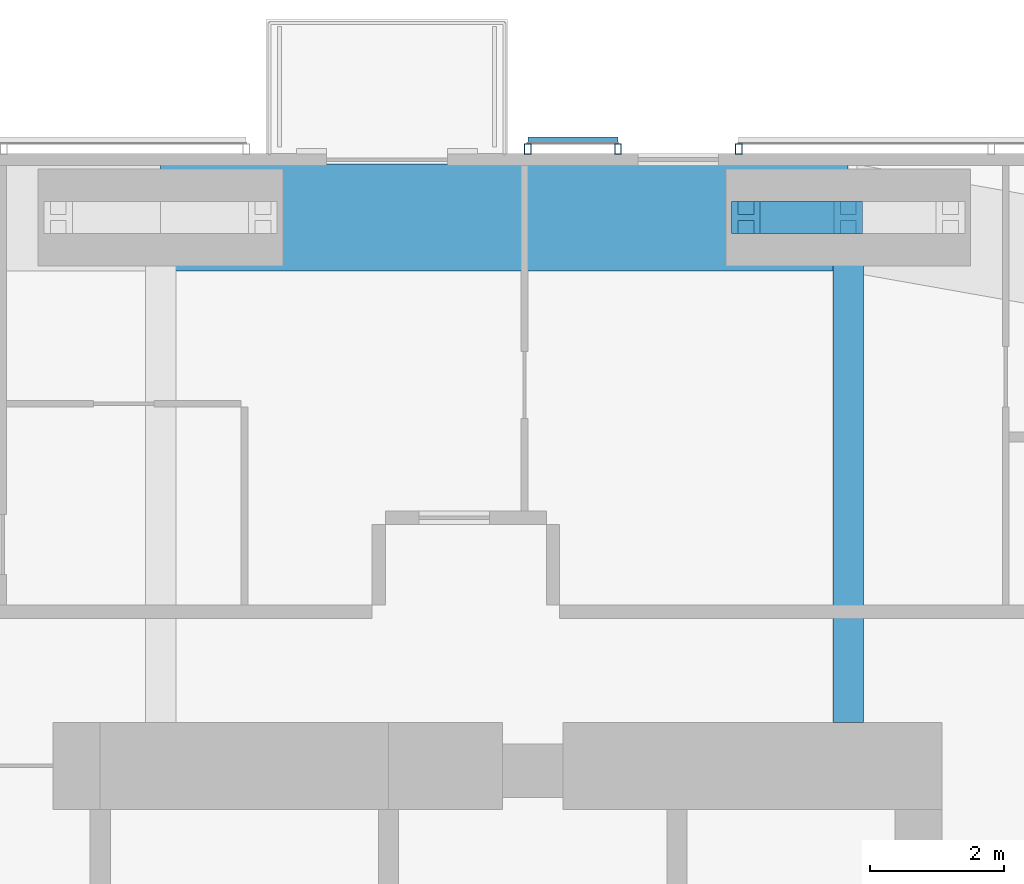
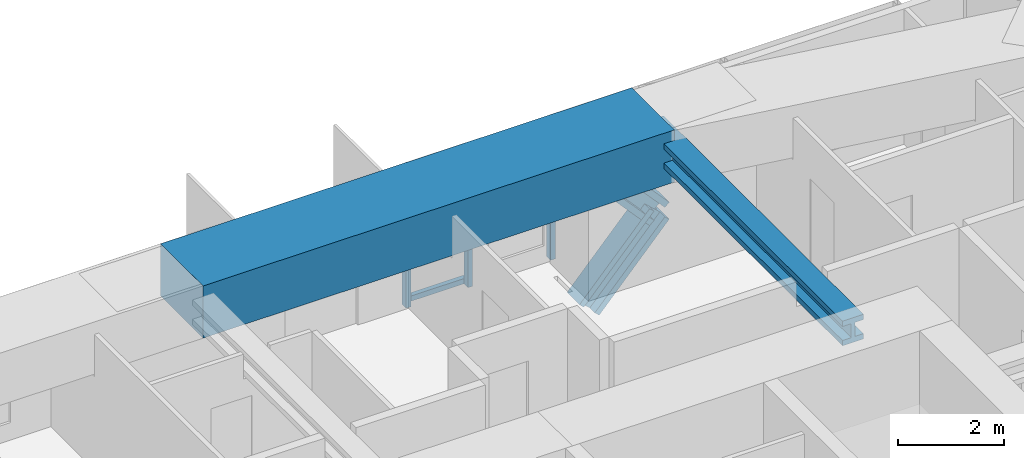
# One storey, part 13 of 23: 6 members, 2 beams, 2 elements without a shape of their own.
"""IFC4 building model written with IfcOpenShell, lengths in metres."""

from ifc_helpers import new_model, si_unit, direction, frame, origin, origin_2d, place, context, subcontext, project, spatial, rectangle, hollow_rectangle, i_section, extrude, material, material_profile, profile_set, type_object, element, aggregate, save


model = new_model("IFC4")

# Units and contexts
model_context = context("Model", 3, precision=1e-05, world=origin(), true_north=direction((0.0, 1.0)))
body_context = subcontext(model_context, "Body", "Model", "MODEL_VIEW")
ifc_project = project(units=[si_unit("LENGTHUNIT", "METRE"), si_unit("AREAUNIT", "SQUARE_METRE"), si_unit("VOLUMEUNIT", "CUBIC_METRE"), si_unit("PLANEANGLEUNIT", "RADIAN"), si_unit("MASSUNIT", "GRAM", prefix="KILO")], contexts=[model_context])

# Site, building, storey
site_placement = place(None, origin())
site = spatial("IfcSite", under=ifc_project, at=site_placement, CompositionType="ELEMENT")
building_placement = place(site_placement, origin())
building = spatial("IfcBuilding", under=site, at=building_placement, Name="Jalousie Tower", CompositionType="ELEMENT")
storey_placement = place(building_placement, frame((0.0, 0.0, 181.14990234375)))
storey = spatial("IfcBuildingStorey", under=building, at=storey_placement, Name="L49", CompositionType="ELEMENT", Elevation=181.14990234375)

# Beam
ifc_material_1 = material(Name="Steel ASTM A992 Grade 50", Category="steel")
ifc_material_profile_1 = material_profile(ifc_material_1, i_section(OverallWidth=0.45458984375, OverallDepth=0.569091796875, WebThickness=0.077880859375, FlangeThickness=0.124755859375, at=origin_2d()), Name="W14X730")
ifc_profile_set_1 = profile_set([ifc_material_profile_1], Name="Steel ASTM A992 Grade 50")
beam_type_1 = type_object("IfcBeamType", Name="LEAN COLLECTOR W14X730", PredefinedType="BEAM", material=ifc_profile_set_1)
beam_1_placement = place(storey_placement, frame((42.75, 35.050048828125, 2.82568359375), z_axis=(0.0, -1.0, 0.0), x_axis=(1.0, 0.0, 0.0)))
element("IfcBeam", 1, at=beam_1_placement, inside=storey, type_object=beam_type_1, Name="Lean collector under L50", PredefinedType="BEAM", context=body_context, shape_type="SweptSolid", body=[
    extrude(i_section(OverallWidth=0.45458984375, OverallDepth=0.569091796875, WebThickness=0.077880859375, FlangeThickness=0.124755859375, at=origin_2d()), origin(), (0.0, 0.0, 1.0), 7.525146484375),
])

# Members
ifc_material_2 = material(Name="Steel ASTM A992 Grade 50", Category="steel")
ifc_material_profile_2 = material_profile(ifc_material_2, i_section(OverallWidth=0.472412109375, OverallDepth=0.5791015625, WebThickness=0.094970703125, FlangeThickness=0.1298828125, at=origin_2d()), Name="W14X808")
ifc_profile_set_2 = profile_set([ifc_material_profile_2], Name="Steel ASTM A992 Grade 50")
member_type_1 = type_object("IfcMemberType", Name="PERIMETER BRACE W14X808", PredefinedType="BRACE", material=ifc_profile_set_2)
for number, where, z_axis, x_axis, name in (
    (2, (41.22509765625, 35.050048828125, -0.599853515625), (0.673187629365, 0.0, 0.739471713908), (0.0, 1.0, 0.0), "Perimeter brace 09 L49 part 1"),
    (3, (42.75, 35.050048828125, 1.0751953125), (-0.673241284601, 0.0, 0.739422864611), (0.0, -1.0, 0.0), "Perimeter brace 09 L49 part 4"),
):
    element("IfcMember", number, at=place(storey_placement, frame(where, z_axis=z_axis, x_axis=x_axis)), inside=storey, type_object=member_type_1, Name=name, PredefinedType="BRACE", context=body_context, shape_type="SweptSolid", body=[
        extrude(i_section(OverallWidth=0.472412109375, OverallDepth=0.5791015625, WebThickness=0.094970703125, FlangeThickness=0.1298828125, at=origin_2d()), origin(), (0.0, 0.0, 1.0), 2.26513671875),
    ])

# Beam
ifc_material_3 = material(Name="Concrete f'c 40 MPa", Category="concrete")
ifc_material_profile_3 = material_profile(ifc_material_3, rectangle(XDim=1.60009765625, YDim=1.199951171875, at=origin_2d()), Name="RC 1600x1200")
ifc_profile_set_3 = profile_set([ifc_material_profile_3], Name="Concrete f'c 40 MPa")
beam_type_2 = type_object("IfcBeamType", Name="RC BEAM 1600x1200", PredefinedType="BEAM", material=ifc_profile_set_3)
beam_2_placement = place(storey_placement, frame((42.75, 35.050048828125, 2.75), z_axis=(-1.0, 0.0, 0.0), x_axis=(0.0, -1.0, 0.0)))
element("IfcBeam", 4, at=beam_2_placement, inside=storey, type_object=beam_type_2, Name="Edge band beam 09-10 under L50", PredefinedType="BEAM", context=body_context, shape_type="SweptSolid", body=[
    extrude(rectangle(XDim=1.60009765625, YDim=1.199951171875, at=origin_2d()), origin(), (0.0, 0.0, 1.0), 10.25),
])

# Curtain wall, member
ifc_material_4 = material(Name="Perforated aluminium sheet", Category="aluminium")
curtain_wall_type = type_object("IfcCurtainWallType", Name="SOLAR SCREEN SS-1", PredefinedType="USERDEFINED", material=ifc_material_4)
curtain_wall_1_placement = place(storey_placement, origin())
curtain_wall_1 = element("IfcCurtainWall", 5, at=curtain_wall_1_placement, inside=storey, type_object=curtain_wall_type, Name="Solar screen L49", ObjectType="SOLAR SCREEN SS-1", PredefinedType="USERDEFINED")
ifc_material_5 = material(Name="Steel ASTM A500 Grade C", Category="steel")
ifc_material_profile_4 = material_profile(ifc_material_5, hollow_rectangle(XDim=0.1015625, YDim=0.15234375, WallThickness=0.00634765625, at=origin_2d()), Name="HSS6X4X1/4")
ifc_profile_set_4 = profile_set([ifc_material_profile_4], Name="Steel ASTM A500 Grade C")
member_type_2 = type_object("IfcMemberType", Name="SOLAR SCREEN SS-1 MULLION", PredefinedType="MULLION", material=ifc_profile_set_4)
member_1_placement = place(storey_placement, frame((41.11865234375, 36.0712890625, -0.119873046875), z_axis=(0.0, 0.0, 1.0), x_axis=(-1.0, 0.0, 0.0)))
member_1 = element("IfcMember", 6, at=member_1_placement, type_object=member_type_2, Name="SS1 post 3", PredefinedType="MULLION", context=body_context, shape_type="SweptSolid", body=[
    extrude(hollow_rectangle(XDim=0.1015625, YDim=0.15234375, WallThickness=0.00634765625, at=origin_2d()), origin(), (0.0, 0.0, 1.0), 3.22998046875),
])
aggregate(curtain_wall_1, [member_1])

# Curtain wall, members
curtain_wall_2_placement = place(storey_placement, origin())
curtain_wall_2 = element("IfcCurtainWall", 7, at=curtain_wall_2_placement, inside=storey, type_object=curtain_wall_type, Name="Solar screen L49", ObjectType="SOLAR SCREEN SS-1", PredefinedType="USERDEFINED")
member_2_placement = place(storey_placement, frame((39.318603515625, 36.0712890625, -0.119873046875), z_axis=(0.0, 0.0, 1.0), x_axis=(-1.0, 0.0, 0.0)))
member_2 = element("IfcMember", 8, at=member_2_placement, type_object=member_type_2, Name="SS1 post 1", PredefinedType="MULLION", context=body_context, shape_type="SweptSolid", body=[
    extrude(hollow_rectangle(XDim=0.1015625, YDim=0.15234375, WallThickness=0.00634765625, at=origin_2d()), origin(), (0.0, 0.0, 1.0), 3.22998046875),
])
member_3_placement = place(storey_placement, frame((37.97509765625, 36.0712890625, -0.119873046875), z_axis=(0.0, 0.0, 1.0), x_axis=(-1.0, 0.0, 0.0)))
member_3 = element("IfcMember", 9, at=member_3_placement, type_object=member_type_2, Name="SS1 post 2", PredefinedType="MULLION", context=body_context, shape_type="SweptSolid", body=[
    extrude(hollow_rectangle(XDim=0.1015625, YDim=0.15234375, WallThickness=0.00634765625, at=origin_2d()), origin(), (0.0, 0.0, 1.0), 3.22998046875),
])
ifc_material_6 = material(Name="Extruded aluminium screen rail", Category="aluminium")
ifc_material_profile_5 = material_profile(ifc_material_6, rectangle(XDim=0.1015625, YDim=0.1201171875, at=origin_2d()), Name="RAIL 102x120")
ifc_profile_set_5 = profile_set([ifc_material_profile_5], Name="Extruded aluminium screen rail")
member_type_3 = type_object("IfcMemberType", Name="SOLAR SCREEN SS-1 TRANSOM", PredefinedType="USERDEFINED", material=ifc_profile_set_5)
member_4_placement = place(storey_placement, frame((39.318603515625, 36.1982421875, -0.059814453125), z_axis=(-1.0, 0.0, 0.0), x_axis=(0.0, -1.0, 0.0)))
member_4 = element("IfcMember", 10, at=member_4_placement, type_object=member_type_3, Name="SS1 rail", ObjectType="TRANSOM", PredefinedType="USERDEFINED", context=body_context, shape_type="SweptSolid", body=[
    extrude(rectangle(XDim=0.1015625, YDim=0.1201171875, at=origin_2d()), origin(), (0.0, 0.0, 1.0), 1.343505859375),
])
aggregate(curtain_wall_2, [member_2, member_3, member_4])

save(model, "model.ifc")
